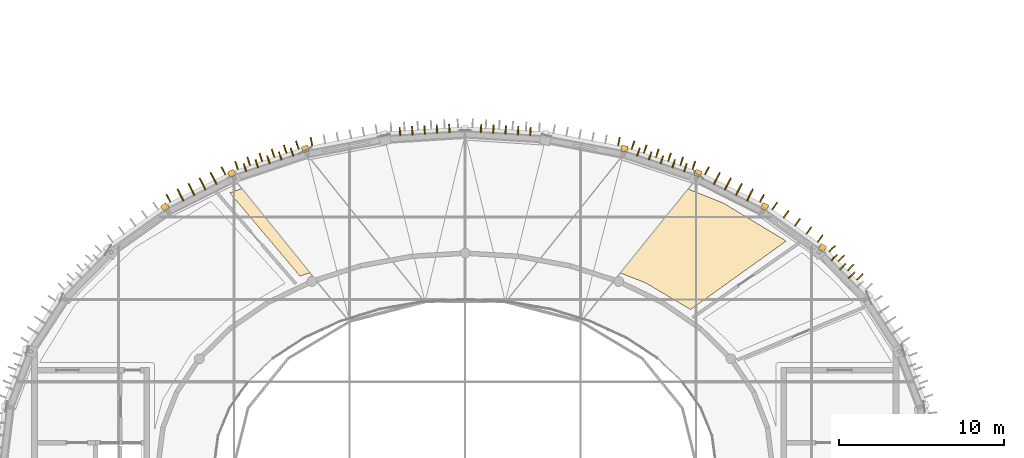
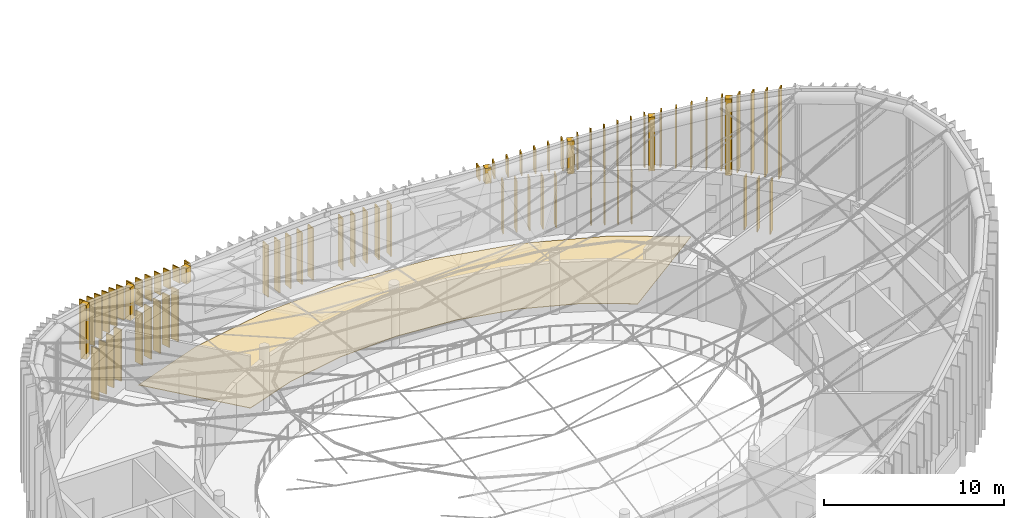
# One storey, part 34 of 36: 66 shading devices, 8 coverings.
"""IFC4 building model written with IfcOpenShell, lengths in metres."""

from ifc_helpers import new_model, si_unit, direction, frame, origin, origin_2d, place, context, subcontext, project, spatial, polyline, rectangle, outline, extrude, material, layer, layer_set, type_object, element, save


model = new_model("IFC4")

# Units and contexts
model_context = context("Model", 3, precision=1e-05, world=origin(), true_north=direction((0.0, 1.0)))
body_context = subcontext(model_context, "Body", "Model", "MODEL_VIEW")
ifc_project = project(units=[si_unit("LENGTHUNIT", "METRE"), si_unit("AREAUNIT", "SQUARE_METRE"), si_unit("VOLUMEUNIT", "CUBIC_METRE"), si_unit("PLANEANGLEUNIT", "RADIAN"), si_unit("MASSUNIT", "GRAM", prefix="KILO")], contexts=[model_context])

# Site, building, storey
site_placement = place(None, origin())
site = spatial("IfcSite", under=ifc_project, at=site_placement, CompositionType="ELEMENT")
building_placement = place(site_placement, origin())
building = spatial("IfcBuilding", under=site, at=building_placement, Name="Tarnveldt Headland Concert Hall", CompositionType="ELEMENT")
storey_placement = place(building_placement, frame((0.0, 0.0, 22.800048828125)))
storey = spatial("IfcBuildingStorey", under=building, at=storey_placement, Name="L05", CompositionType="ELEMENT", Elevation=22.800048828125)

# Coverings
ifc_material_1 = material(Name="Polished coral-aggregate cementitious terrazzo flooring", Category="concrete")
ifc_layer_1 = layer(ifc_material_1, 0.034912109375, Name="Polished coral-aggregate cementitious terrazzo flooring", Category="concrete")
ifc_layer_set_1 = layer_set([ifc_layer_1], Name="Polished coral-aggregate cementitious terrazzo flooring")
covering_type_1 = type_object("IfcCoveringType", Name="CV-FLOR35", PredefinedType="FLOORING", material=ifc_layer_set_1)
covering_1_placement = place(storey_placement, origin())
element("IfcCovering", 1, at=covering_1_placement, inside=storey, type_object=covering_type_1, Name="Architectural flooring L05-08-133", PredefinedType="FLOORING", context=body_context, shape_type="SweptSolid", body=[
    extrude(outline(polyline([(94.45068359375, 65.486572265625), (94.43798828125, 65.493408203125), (94.42431640625, 65.49951171875), (93.199951171875, 65.9765625), (93.199951171875, 65.985107421875), (93.177978515625, 65.985107421875), (91.20654296875, 66.753173828125), (91.194091796875, 66.757568359375), (91.181396484375, 66.760986328125), (87.675537109375, 67.55908203125), (87.65087890625, 67.562744140625), (83.989013671875, 67.875244140625), (83.964599609375, 67.875732421875), (80.284912109375, 67.6904296875), (80.260498046875, 67.6875), (76.70166015625, 67.01171875), (76.676513671875, 67.005126953125), (73.489501953125, 65.90478515625), (69.232666015625, 70.95361328125), (73.756103515625, 72.548095703125), (78.881591796875, 73.541259765625), (84.182373046875, 73.8134765625), (89.457275390625, 73.354248046875), (94.505859375, 72.18115234375), (99.13671875, 70.339599609375), (102.954833984375, 68.033203125), (97.158203125, 63.88427734375), (94.45068359375, 65.486572265625)])), origin(), (0.0, 0.0, 1.0), 0.034912109375),
])
ifc_material_2 = material(Name="Coral-toned precast concrete C40/50", Category="concrete")
ifc_layer_2 = layer(ifc_material_2, 0.360107421875, Name="Coral-toned precast concrete C40/50", Category="concrete")
ifc_layer_set_2 = layer_set([ifc_layer_2], Name="Coral-toned precast concrete C40/50")
covering_type_2 = type_object("IfcCoveringType", Name="CV-JNT360", PredefinedType="CLADDING", material=ifc_layer_set_2)
covering_2_placement = place(storey_placement, frame((65.30419921875, 70.09765625, 3.7998046875), z_axis=(0.0, 0.0, 1.0), x_axis=(-0.581271174002, 0.813709912852, 0.0)))
element("IfcCovering", 2, at=covering_2_placement, inside=storey, type_object=covering_type_2, Name="Precast facade joint closure pilaster L05-356", PredefinedType="CLADDING", context=body_context, shape_type="SweptSolid", body=[
    extrude(rectangle(XDim=0.3798828125, YDim=0.3798828125, at=origin_2d()), origin(), (0.0, 0.0, 1.0), 3.656005859375),
])
covering_3_placement = place(storey_placement, frame((69.347900390625, 72.12451171875, 3.7998046875), z_axis=(0.0, 0.0, 1.0), x_axis=(-0.447290848419, 0.89438856037, 0.0)))
element("IfcCovering", 3, at=covering_3_placement, inside=storey, type_object=covering_type_2, Name="Precast facade joint closure pilaster L05-358", PredefinedType="CLADDING", context=body_context, shape_type="SweptSolid", body=[
    extrude(rectangle(XDim=0.3798828125, YDim=0.3798828125, at=origin_2d()), origin(), (0.0, 0.0, 1.0), 2.219970703125),
])
for number, where, z_axis, x_axis, name in (
    (4, (73.81591796875, 73.616455078125, 3.800048828125), (0.0, 0.0, 1.0), (-0.315980237922, 0.948765771538, 0.0), "Precast facade joint closure pilaster L05-360"),
    (5, (93.140380859375, 73.627685546875, 3.800048828125), (0.0, 0.0, 1.0), (0.187895613278, 0.982189003456, 0.0), "Precast facade joint closure pilaster L05-368"),
):
    element("IfcCovering", number, at=place(storey_placement, frame(where, z_axis=z_axis, x_axis=x_axis)), inside=storey, type_object=covering_type_2, Name=name, PredefinedType="CLADDING", context=body_context, shape_type="SweptSolid", body=[
        extrude(rectangle(XDim=0.3798828125, YDim=0.3798828125, at=origin_2d()), origin(), (0.0, 0.0, 1.0), 1.04931640625),
    ])
covering_4_placement = place(storey_placement, frame((97.607421875, 72.14306640625, 3.7998046875), z_axis=(0.0, 0.0, 1.0), x_axis=(0.315980237922, 0.948765771538, 0.0)))
element("IfcCovering", 6, at=covering_4_placement, inside=storey, type_object=covering_type_2, Name="Precast facade joint closure pilaster L05-370", PredefinedType="CLADDING", context=body_context, shape_type="SweptSolid", body=[
    extrude(rectangle(XDim=0.3798828125, YDim=0.3798828125, at=origin_2d()), origin(), (0.0, 0.0, 1.0), 2.219970703125),
])
covering_5_placement = place(storey_placement, frame((101.650146484375, 70.125, 3.7998046875), z_axis=(0.0, 0.0, 1.0), x_axis=(0.447290848419, 0.89438856037, 0.0)))
element("IfcCovering", 7, at=covering_5_placement, inside=storey, type_object=covering_type_2, Name="Precast facade joint closure pilaster L05-372", PredefinedType="CLADDING", context=body_context, shape_type="SweptSolid", body=[
    extrude(rectangle(XDim=0.3798828125, YDim=0.3798828125, at=origin_2d()), origin(), (0.0, 0.0, 1.0), 3.656005859375),
])
covering_6_placement = place(storey_placement, frame((105.146728515625, 67.632568359375, 3.7998046875), z_axis=(0.0, 0.0, 1.0), x_axis=(0.581271174002, 0.813709912852, 0.0)))
element("IfcCovering", 8, at=covering_6_placement, inside=storey, type_object=covering_type_2, Name="Precast facade joint closure pilaster L05-374", PredefinedType="CLADDING", context=body_context, shape_type="SweptSolid", body=[
    extrude(rectangle(XDim=0.3798828125, YDim=0.3798828125, at=origin_2d()), origin(), (0.0, 0.0, 1.0), 5.18408203125),
])

# Shading devices
ifc_material_3 = material(Name="Terracotta-anodised aluminium EN AW-6063-T6", Category="masonry")
shading_device_type = type_object("IfcShadingDeviceType", Name="SD-FIN520", PredefinedType="USERDEFINED", material=ifc_material_3)
for number, where, z_axis, x_axis, name in (
    (9, (106.90966796875, 65.952392578125, 0.25), (0.0, 0.0, 1.0), (0.714106238843, 0.700037341608, 0.0), "Drum terracotta acoustic solar fin L05-214"),
    (10, (106.384521484375, 66.488037109375, 0.25), (0.0, 0.0, 1.0), (0.714106238843, 0.700037341608, 0.0), "Drum terracotta acoustic solar fin L05-215"),
    (11, (105.859619140625, 67.0234375, 0.25), (0.0, 0.0, 1.0), (0.714106238843, 0.700037341608, 0.0), "Drum terracotta acoustic solar fin L05-216"),
    (12, (100.69189453125, 70.69091796875, 0.25), (0.0, 0.0, 1.0), (0.447290848419, 0.89438856037, 0.0), "Drum terracotta acoustic solar fin L05-217"),
    (13, (100.021240234375, 71.0263671875, 0.25), (0.0, 0.0, 1.0), (0.447290848419, 0.89438856037, 0.0), "Drum terracotta acoustic solar fin L05-218"),
    (14, (99.350341796875, 71.36181640625, 0.25), (0.0, 0.0, 1.0), (0.447290848419, 0.89438856037, 0.0), "Drum terracotta acoustic solar fin L05-219"),
    (15, (98.6796875, 71.697265625, 0.25), (0.0, 0.0, 1.0), (0.447290848419, 0.89438856037, 0.0), "Drum terracotta acoustic solar fin L05-220"),
    (16, (96.843505859375, 72.479248046875, 0.25), (0.0, 0.0, 1.0), (0.315980237922, 0.948765771538, 0.0), "Drum terracotta acoustic solar fin L05-221"),
    (17, (96.1318359375, 72.71630859375, 0.25), (0.0, 0.0, 1.0), (0.315980237922, 0.948765771538, 0.0), "Drum terracotta acoustic solar fin L05-222"),
    (18, (95.420166015625, 72.953369140625, 0.25), (0.0, 0.0, 1.0), (0.315980237922, 0.948765771538, 0.0), "Drum terracotta acoustic solar fin L05-223"),
    (19, (94.708740234375, 73.190185546875, 0.25), (0.0, 0.0, 1.0), (0.315980237922, 0.948765771538, 0.0), "Drum terracotta acoustic solar fin L05-224"),
    (20, (93.9970703125, 73.42724609375, 0.25), (0.0, 0.0, 1.0), (0.315980237922, 0.948765771538, 0.0), "Drum terracotta acoustic solar fin L05-225"),
    (21, (87.4541015625, 74.671142578125, 0.25), (0.0, 0.0, 1.0), (0.062442138662, 0.998048585651, 0.0), "Drum terracotta acoustic solar fin L05-226"),
    (22, (86.70556640625, 74.718017578125, 0.25), (0.0, 0.0, 1.0), (0.062442138662, 0.998048585651, 0.0), "Drum terracotta acoustic solar fin L05-227"),
    (23, (85.95703125, 74.764892578125, 0.25), (0.0, 0.0, 1.0), (0.062442138662, 0.998048585651, 0.0), "Drum terracotta acoustic solar fin L05-228"),
    (24, (85.20849609375, 74.8115234375, 0.25), (0.0, 0.0, 1.0), (0.062442138662, 0.998048585651, 0.0), "Drum terracotta acoustic solar fin L05-229"),
    (25, (84.4599609375, 74.8583984375, 0.25), (0.0, 0.0, 1.0), (0.062442138662, 0.998048585651, 0.0), "Drum terracotta acoustic solar fin L05-230"),
    (26, (82.5400390625, 74.8583984375, 0.25), (0.0, 0.0, 1.0), (-0.062442138662, 0.998048585651, 0.0), "Drum terracotta acoustic solar fin L05-231"),
    (27, (81.79150390625, 74.8115234375, 0.25), (0.0, 0.0, 1.0), (-0.062442138662, 0.998048585651, 0.0), "Drum terracotta acoustic solar fin L05-232"),
    (28, (81.04296875, 74.764892578125, 0.25), (0.0, 0.0, 1.0), (-0.062442138662, 0.998048585651, 0.0), "Drum terracotta acoustic solar fin L05-233"),
    (29, (80.29443359375, 74.718017578125, 0.25), (0.0, 0.0, 1.0), (-0.062442138662, 0.998048585651, 0.0), "Drum terracotta acoustic solar fin L05-234"),
    (30, (79.5458984375, 74.671142578125, 0.25), (0.0, 0.0, 1.0), (-0.062442138662, 0.998048585651, 0.0), "Drum terracotta acoustic solar fin L05-235"),
    (31, (73.0029296875, 73.42724609375, 0.25), (0.0, 0.0, 1.0), (-0.315980237922, 0.948765771538, 0.0), "Drum terracotta acoustic solar fin L05-236"),
    (32, (72.291259765625, 73.190185546875, 0.25), (0.0, 0.0, 1.0), (-0.315980237922, 0.948765771538, 0.0), "Drum terracotta acoustic solar fin L05-237"),
    (33, (71.579833984375, 72.953369140625, 0.25), (0.0, 0.0, 1.0), (-0.315980237922, 0.948765771538, 0.0), "Drum terracotta acoustic solar fin L05-238"),
    (34, (70.8681640625, 72.71630859375, 0.25), (0.0, 0.0, 1.0), (-0.315980237922, 0.948765771538, 0.0), "Drum terracotta acoustic solar fin L05-239"),
    (35, (70.156494140625, 72.479248046875, 0.25), (0.0, 0.0, 1.0), (-0.315980237922, 0.948765771538, 0.0), "Drum terracotta acoustic solar fin L05-240"),
    (36, (68.3203125, 71.697265625, 0.25), (0.0, 0.0, 1.0), (-0.447290848419, 0.89438856037, 0.0), "Drum terracotta acoustic solar fin L05-241"),
    (37, (67.649658203125, 71.36181640625, 0.25), (0.0, 0.0, 1.0), (-0.447290848419, 0.89438856037, 0.0), "Drum terracotta acoustic solar fin L05-242"),
    (38, (66.978759765625, 71.0263671875, 0.25), (0.0, 0.0, 1.0), (-0.447290848419, 0.89438856037, 0.0), "Drum terracotta acoustic solar fin L05-243"),
    (39, (66.30810546875, 70.69091796875, 0.25), (0.0, 0.0, 1.0), (-0.447290848419, 0.89438856037, 0.0), "Drum terracotta acoustic solar fin L05-244"),
):
    element("IfcShadingDevice", number, at=place(storey_placement, frame(where, z_axis=z_axis, x_axis=x_axis)), inside=storey, type_object=shading_device_type, Name=name, ObjectType="FIN", PredefinedType="USERDEFINED", context=body_context, shape_type="SweptSolid", body=[
        extrude(rectangle(XDim=0.52001953125, YDim=0.080078125, at=origin_2d()), origin(), (0.0, 0.0, 1.0), 3.5),
    ])
shading_device_1_placement = place(storey_placement, frame((107.41943359375, 65.857421875, 3.85009765625), z_axis=(0.0, 0.0, 1.0), x_axis=(0.714106238843, 0.700037341608, 0.0)))
element("IfcShadingDevice", 40, at=shading_device_1_placement, inside=storey, type_object=shading_device_type, Name="Crown terracotta louvre fin 4-2", ObjectType="FIN", PredefinedType="USERDEFINED", context=body_context, shape_type="SweptSolid", body=[
    extrude(rectangle(XDim=0.52001953125, YDim=0.080078125, at=origin_2d()), origin(), (0.0, 0.0, 1.0), 6.05908203125),
])
shading_device_2_placement = place(storey_placement, frame((106.859619140625, 66.428466796875, 3.849853515625), z_axis=(0.0, 0.0, 1.0), x_axis=(0.714106238843, 0.700037341608, 0.0)))
element("IfcShadingDevice", 41, at=shading_device_2_placement, inside=storey, type_object=shading_device_type, Name="Crown terracotta louvre fin 4-3", ObjectType="FIN", PredefinedType="USERDEFINED", context=body_context, shape_type="SweptSolid", body=[
    extrude(rectangle(XDim=0.52001953125, YDim=0.080078125, at=origin_2d()), origin(), (0.0, 0.0, 1.0), 5.77197265625),
])
shading_device_3_placement = place(storey_placement, frame((106.299560546875, 66.99951171875, 3.849853515625), z_axis=(0.0, 0.0, 1.0), x_axis=(0.714106238843, 0.700037341608, 0.0)))
element("IfcShadingDevice", 42, at=shading_device_3_placement, inside=storey, type_object=shading_device_type, Name="Crown terracotta louvre fin 4-4", ObjectType="FIN", PredefinedType="USERDEFINED", context=body_context, shape_type="SweptSolid", body=[
    extrude(rectangle(XDim=0.52001953125, YDim=0.080078125, at=origin_2d()), origin(), (0.0, 0.0, 1.0), 5.48486328125),
])
shading_device_4_placement = place(storey_placement, frame((105.73974609375, 67.57080078125, 3.85009765625), z_axis=(0.0, 0.0, 1.0), x_axis=(0.714106238843, 0.700037341608, 0.0)))
element("IfcShadingDevice", 43, at=shading_device_4_placement, inside=storey, type_object=shading_device_type, Name="Crown terracotta louvre fin 4-5", ObjectType="FIN", PredefinedType="USERDEFINED", context=body_context, shape_type="SweptSolid", body=[
    extrude(rectangle(XDim=0.52001953125, YDim=0.080078125, at=origin_2d()), origin(), (0.0, 0.0, 1.0), 5.197509765625),
])
shading_device_5_placement = place(storey_placement, frame((105.019775390625, 68.18408203125, 3.85009765625), z_axis=(0.0, 0.0, 1.0), x_axis=(0.581271174002, 0.813709912852, 0.0)))
element("IfcShadingDevice", 44, at=shading_device_5_placement, inside=storey, type_object=shading_device_type, Name="Crown terracotta louvre fin 5-1", ObjectType="FIN", PredefinedType="USERDEFINED", context=body_context, shape_type="SweptSolid", body=[
    extrude(rectangle(XDim=0.52001953125, YDim=0.080078125, at=origin_2d()), origin(), (0.0, 0.0, 1.0), 4.901123046875),
])
shading_device_6_placement = place(storey_placement, frame((104.329345703125, 68.67724609375, 3.849853515625), z_axis=(0.0, 0.0, 1.0), x_axis=(0.581271174002, 0.813709912852, 0.0)))
element("IfcShadingDevice", 45, at=shading_device_6_placement, inside=storey, type_object=shading_device_type, Name="Crown terracotta louvre fin 5-2", ObjectType="FIN", PredefinedType="USERDEFINED", context=body_context, shape_type="SweptSolid", body=[
    extrude(rectangle(XDim=0.52001953125, YDim=0.080078125, at=origin_2d()), origin(), (0.0, 0.0, 1.0), 4.595703125),
])
shading_device_7_placement = place(storey_placement, frame((103.63916015625, 69.170166015625, 3.849853515625), z_axis=(0.0, 0.0, 1.0), x_axis=(0.581271174002, 0.813709912852, 0.0)))
element("IfcShadingDevice", 46, at=shading_device_7_placement, inside=storey, type_object=shading_device_type, Name="Crown terracotta louvre fin 5-3", ObjectType="FIN", PredefinedType="USERDEFINED", context=body_context, shape_type="SweptSolid", body=[
    extrude(rectangle(XDim=0.52001953125, YDim=0.080078125, at=origin_2d()), origin(), (0.0, 0.0, 1.0), 4.2900390625),
])
shading_device_8_placement = place(storey_placement, frame((102.948974609375, 69.6630859375, 3.849853515625), z_axis=(0.0, 0.0, 1.0), x_axis=(0.581271174002, 0.813709912852, 0.0)))
element("IfcShadingDevice", 47, at=shading_device_8_placement, inside=storey, type_object=shading_device_type, Name="Crown terracotta louvre fin 5-4", ObjectType="FIN", PredefinedType="USERDEFINED", context=body_context, shape_type="SweptSolid", body=[
    extrude(rectangle(XDim=0.52001953125, YDim=0.080078125, at=origin_2d()), origin(), (0.0, 0.0, 1.0), 3.984375),
])
shading_device_9_placement = place(storey_placement, frame((102.2587890625, 70.15625, 3.85009765625), z_axis=(0.0, 0.0, 1.0), x_axis=(0.581271174002, 0.813709912852, 0.0)))
element("IfcShadingDevice", 48, at=shading_device_9_placement, inside=storey, type_object=shading_device_type, Name="Crown terracotta louvre fin 5-5", ObjectType="FIN", PredefinedType="USERDEFINED", context=body_context, shape_type="SweptSolid", body=[
    extrude(rectangle(XDim=0.52001953125, YDim=0.080078125, at=origin_2d()), origin(), (0.0, 0.0, 1.0), 3.6787109375),
])
shading_device_10_placement = place(storey_placement, frame((101.48486328125, 70.626953125, 3.849853515625), z_axis=(0.0, 0.0, 1.0), x_axis=(0.447290848419, 0.89438856037, 0.0)))
element("IfcShadingDevice", 49, at=shading_device_10_placement, inside=storey, type_object=shading_device_type, Name="Crown terracotta louvre fin 6-1", ObjectType="FIN", PredefinedType="USERDEFINED", context=body_context, shape_type="SweptSolid", body=[
    extrude(rectangle(XDim=0.52001953125, YDim=0.080078125, at=origin_2d()), origin(), (0.0, 0.0, 1.0), 3.40625),
])
shading_device_11_placement = place(storey_placement, frame((100.818359375, 70.960205078125, 3.849853515625), z_axis=(0.0, 0.0, 1.0), x_axis=(0.447290848419, 0.89438856037, 0.0)))
element("IfcShadingDevice", 50, at=shading_device_11_placement, inside=storey, type_object=shading_device_type, Name="Crown terracotta louvre fin 6-2", ObjectType="FIN", PredefinedType="USERDEFINED", context=body_context, shape_type="SweptSolid", body=[
    extrude(rectangle(XDim=0.52001953125, YDim=0.080078125, at=origin_2d()), origin(), (0.0, 0.0, 1.0), 3.1669921875),
])
shading_device_12_placement = place(storey_placement, frame((100.152099609375, 71.293701171875, 3.849853515625), z_axis=(0.0, 0.0, 1.0), x_axis=(0.447290848419, 0.89438856037, 0.0)))
element("IfcShadingDevice", 51, at=shading_device_12_placement, inside=storey, type_object=shading_device_type, Name="Crown terracotta louvre fin 6-3", ObjectType="FIN", PredefinedType="USERDEFINED", context=body_context, shape_type="SweptSolid", body=[
    extrude(rectangle(XDim=0.52001953125, YDim=0.080078125, at=origin_2d()), origin(), (0.0, 0.0, 1.0), 2.927734375),
])
shading_device_13_placement = place(storey_placement, frame((99.485595703125, 71.626708984375, 3.85009765625), z_axis=(0.0, 0.0, 1.0), x_axis=(0.447290848419, 0.89438856037, 0.0)))
element("IfcShadingDevice", 52, at=shading_device_13_placement, inside=storey, type_object=shading_device_type, Name="Crown terracotta louvre fin 6-4", ObjectType="FIN", PredefinedType="USERDEFINED", context=body_context, shape_type="SweptSolid", body=[
    extrude(rectangle(XDim=0.52001953125, YDim=0.080078125, at=origin_2d()), origin(), (0.0, 0.0, 1.0), 2.688232421875),
])
shading_device_14_placement = place(storey_placement, frame((98.8193359375, 71.960205078125, 3.85009765625), z_axis=(0.0, 0.0, 1.0), x_axis=(0.447290848419, 0.89438856037, 0.0)))
element("IfcShadingDevice", 53, at=shading_device_14_placement, inside=storey, type_object=shading_device_type, Name="Crown terracotta louvre fin 6-5", ObjectType="FIN", PredefinedType="USERDEFINED", context=body_context, shape_type="SweptSolid", body=[
    extrude(rectangle(XDim=0.52001953125, YDim=0.080078125, at=origin_2d()), origin(), (0.0, 0.0, 1.0), 2.448974609375),
])
shading_device_15_placement = place(storey_placement, frame((98.153076171875, 72.29345703125, 3.85009765625), z_axis=(0.0, 0.0, 1.0), x_axis=(0.447290848419, 0.89438856037, 0.0)))
element("IfcShadingDevice", 54, at=shading_device_15_placement, inside=storey, type_object=shading_device_type, Name="Crown terracotta louvre fin 6-6", ObjectType="FIN", PredefinedType="USERDEFINED", context=body_context, shape_type="SweptSolid", body=[
    extrude(rectangle(XDim=0.52001953125, YDim=0.080078125, at=origin_2d()), origin(), (0.0, 0.0, 1.0), 2.209716796875),
])
shading_device_16_placement = place(storey_placement, frame((97.357421875, 72.62158203125, 3.85009765625), z_axis=(0.0, 0.0, 1.0), x_axis=(0.315980237922, 0.948765771538, 0.0)))
element("IfcShadingDevice", 55, at=shading_device_16_placement, inside=storey, type_object=shading_device_type, Name="Crown terracotta louvre fin 7-1", ObjectType="FIN", PredefinedType="USERDEFINED", context=body_context, shape_type="SweptSolid", body=[
    extrude(rectangle(XDim=0.52001953125, YDim=0.080078125, at=origin_2d()), origin(), (0.0, 0.0, 1.0), 1.992431640625),
])
shading_device_17_placement = place(storey_placement, frame((96.6201171875, 72.8671875, 3.849853515625), z_axis=(0.0, 0.0, 1.0), x_axis=(0.315980237922, 0.948765771538, 0.0)))
element("IfcShadingDevice", 56, at=shading_device_17_placement, inside=storey, type_object=shading_device_type, Name="Crown terracotta louvre fin 7-2", ObjectType="FIN", PredefinedType="USERDEFINED", context=body_context, shape_type="SweptSolid", body=[
    extrude(rectangle(XDim=0.52001953125, YDim=0.080078125, at=origin_2d()), origin(), (0.0, 0.0, 1.0), 1.79736328125),
])
shading_device_18_placement = place(storey_placement, frame((95.8828125, 73.11279296875, 3.85009765625), z_axis=(0.0, 0.0, 1.0), x_axis=(0.315980237922, 0.948765771538, 0.0)))
element("IfcShadingDevice", 57, at=shading_device_18_placement, inside=storey, type_object=shading_device_type, Name="Crown terracotta louvre fin 7-3", ObjectType="FIN", PredefinedType="USERDEFINED", context=body_context, shape_type="SweptSolid", body=[
    extrude(rectangle(XDim=0.52001953125, YDim=0.080078125, at=origin_2d()), origin(), (0.0, 0.0, 1.0), 1.602294921875),
])
shading_device_19_placement = place(storey_placement, frame((95.1455078125, 73.3583984375, 3.849853515625), z_axis=(0.0, 0.0, 1.0), x_axis=(0.315980237922, 0.948765771538, 0.0)))
element("IfcShadingDevice", 58, at=shading_device_19_placement, inside=storey, type_object=shading_device_type, Name="Crown terracotta louvre fin 7-4", ObjectType="FIN", PredefinedType="USERDEFINED", context=body_context, shape_type="SweptSolid", body=[
    extrude(rectangle(XDim=0.52001953125, YDim=0.080078125, at=origin_2d()), origin(), (0.0, 0.0, 1.0), 1.4072265625),
])
shading_device_20_placement = place(storey_placement, frame((94.408447265625, 73.60400390625, 3.85009765625), z_axis=(0.0, 0.0, 1.0), x_axis=(0.315980237922, 0.948765771538, 0.0)))
element("IfcShadingDevice", 59, at=shading_device_20_placement, inside=storey, type_object=shading_device_type, Name="Crown terracotta louvre fin 7-5", ObjectType="FIN", PredefinedType="USERDEFINED", context=body_context, shape_type="SweptSolid", body=[
    extrude(rectangle(XDim=0.52001953125, YDim=0.080078125, at=origin_2d()), origin(), (0.0, 0.0, 1.0), 1.212158203125),
])
shading_device_21_placement = place(storey_placement, frame((93.671142578125, 73.849609375, 3.849853515625), z_axis=(0.0, 0.0, 1.0), x_axis=(0.315980237922, 0.948765771538, 0.0)))
element("IfcShadingDevice", 60, at=shading_device_21_placement, inside=storey, type_object=shading_device_type, Name="Crown terracotta louvre fin 7-6", ObjectType="FIN", PredefinedType="USERDEFINED", context=body_context, shape_type="SweptSolid", body=[
    extrude(rectangle(XDim=0.52001953125, YDim=0.080078125, at=origin_2d()), origin(), (0.0, 0.0, 1.0), 1.01708984375),
])
for number, where, z_axis, x_axis, name in (
    (61, (92.818115234375, 74.0712890625, 3.85009765625), (0.0, 0.0, 1.0), (0.187895613278, 0.982189003456, 0.0), "Crown terracotta louvre fin 8-1"),
    (62, (74.181884765625, 74.0712890625, 3.85009765625), (0.0, 0.0, 1.0), (-0.187895613278, 0.982189003456, 0.0), "Crown terracotta louvre fin 11-6"),
):
    element("IfcShadingDevice", number, at=place(storey_placement, frame(where, z_axis=z_axis, x_axis=x_axis)), inside=storey, type_object=shading_device_type, Name=name, ObjectType="FIN", PredefinedType="USERDEFINED", context=body_context, shape_type="SweptSolid", body=[
        extrude(rectangle(XDim=0.52001953125, YDim=0.080078125, at=origin_2d()), origin(), (0.0, 0.0, 1.0), 0.890380859375),
    ])
shading_device_22_placement = place(storey_placement, frame((73.328857421875, 73.849609375, 3.849853515625), z_axis=(0.0, 0.0, 1.0), x_axis=(-0.315980237922, 0.948765771538, 0.0)))
element("IfcShadingDevice", 63, at=shading_device_22_placement, inside=storey, type_object=shading_device_type, Name="Crown terracotta louvre fin 12-1", ObjectType="FIN", PredefinedType="USERDEFINED", context=body_context, shape_type="SweptSolid", body=[
    extrude(rectangle(XDim=0.52001953125, YDim=0.080078125, at=origin_2d()), origin(), (0.0, 0.0, 1.0), 1.01708984375),
])
shading_device_23_placement = place(storey_placement, frame((72.591552734375, 73.60400390625, 3.85009765625), z_axis=(0.0, 0.0, 1.0), x_axis=(-0.315980237922, 0.948765771538, 0.0)))
element("IfcShadingDevice", 64, at=shading_device_23_placement, inside=storey, type_object=shading_device_type, Name="Crown terracotta louvre fin 12-2", ObjectType="FIN", PredefinedType="USERDEFINED", context=body_context, shape_type="SweptSolid", body=[
    extrude(rectangle(XDim=0.52001953125, YDim=0.080078125, at=origin_2d()), origin(), (0.0, 0.0, 1.0), 1.212158203125),
])
shading_device_24_placement = place(storey_placement, frame((71.8544921875, 73.3583984375, 3.849853515625), z_axis=(0.0, 0.0, 1.0), x_axis=(-0.315980237922, 0.948765771538, 0.0)))
element("IfcShadingDevice", 65, at=shading_device_24_placement, inside=storey, type_object=shading_device_type, Name="Crown terracotta louvre fin 12-3", ObjectType="FIN", PredefinedType="USERDEFINED", context=body_context, shape_type="SweptSolid", body=[
    extrude(rectangle(XDim=0.52001953125, YDim=0.080078125, at=origin_2d()), origin(), (0.0, 0.0, 1.0), 1.4072265625),
])
shading_device_25_placement = place(storey_placement, frame((71.1171875, 73.11279296875, 3.85009765625), z_axis=(0.0, 0.0, 1.0), x_axis=(-0.315980237922, 0.948765771538, 0.0)))
element("IfcShadingDevice", 66, at=shading_device_25_placement, inside=storey, type_object=shading_device_type, Name="Crown terracotta louvre fin 12-4", ObjectType="FIN", PredefinedType="USERDEFINED", context=body_context, shape_type="SweptSolid", body=[
    extrude(rectangle(XDim=0.52001953125, YDim=0.080078125, at=origin_2d()), origin(), (0.0, 0.0, 1.0), 1.602294921875),
])
shading_device_26_placement = place(storey_placement, frame((70.3798828125, 72.8671875, 3.849853515625), z_axis=(0.0, 0.0, 1.0), x_axis=(-0.315980237922, 0.948765771538, 0.0)))
element("IfcShadingDevice", 67, at=shading_device_26_placement, inside=storey, type_object=shading_device_type, Name="Crown terracotta louvre fin 12-5", ObjectType="FIN", PredefinedType="USERDEFINED", context=body_context, shape_type="SweptSolid", body=[
    extrude(rectangle(XDim=0.52001953125, YDim=0.080078125, at=origin_2d()), origin(), (0.0, 0.0, 1.0), 1.79736328125),
])
shading_device_27_placement = place(storey_placement, frame((69.642578125, 72.62158203125, 3.85009765625), z_axis=(0.0, 0.0, 1.0), x_axis=(-0.315980237922, 0.948765771538, 0.0)))
element("IfcShadingDevice", 68, at=shading_device_27_placement, inside=storey, type_object=shading_device_type, Name="Crown terracotta louvre fin 12-6", ObjectType="FIN", PredefinedType="USERDEFINED", context=body_context, shape_type="SweptSolid", body=[
    extrude(rectangle(XDim=0.52001953125, YDim=0.080078125, at=origin_2d()), origin(), (0.0, 0.0, 1.0), 1.992431640625),
])
shading_device_28_placement = place(storey_placement, frame((68.846923828125, 72.29345703125, 3.85009765625), z_axis=(0.0, 0.0, 1.0), x_axis=(-0.447290848419, 0.89438856037, 0.0)))
element("IfcShadingDevice", 69, at=shading_device_28_placement, inside=storey, type_object=shading_device_type, Name="Crown terracotta louvre fin 13-1", ObjectType="FIN", PredefinedType="USERDEFINED", context=body_context, shape_type="SweptSolid", body=[
    extrude(rectangle(XDim=0.52001953125, YDim=0.080078125, at=origin_2d()), origin(), (0.0, 0.0, 1.0), 2.209716796875),
])
shading_device_29_placement = place(storey_placement, frame((68.1806640625, 71.960205078125, 3.85009765625), z_axis=(0.0, 0.0, 1.0), x_axis=(-0.447290848419, 0.89438856037, 0.0)))
element("IfcShadingDevice", 70, at=shading_device_29_placement, inside=storey, type_object=shading_device_type, Name="Crown terracotta louvre fin 13-2", ObjectType="FIN", PredefinedType="USERDEFINED", context=body_context, shape_type="SweptSolid", body=[
    extrude(rectangle(XDim=0.52001953125, YDim=0.080078125, at=origin_2d()), origin(), (0.0, 0.0, 1.0), 2.448974609375),
])
shading_device_30_placement = place(storey_placement, frame((67.514404296875, 71.626708984375, 3.85009765625), z_axis=(0.0, 0.0, 1.0), x_axis=(-0.447290848419, 0.89438856037, 0.0)))
element("IfcShadingDevice", 71, at=shading_device_30_placement, inside=storey, type_object=shading_device_type, Name="Crown terracotta louvre fin 13-3", ObjectType="FIN", PredefinedType="USERDEFINED", context=body_context, shape_type="SweptSolid", body=[
    extrude(rectangle(XDim=0.52001953125, YDim=0.080078125, at=origin_2d()), origin(), (0.0, 0.0, 1.0), 2.688232421875),
])
shading_device_31_placement = place(storey_placement, frame((66.847900390625, 71.293701171875, 3.849853515625), z_axis=(0.0, 0.0, 1.0), x_axis=(-0.447290848419, 0.89438856037, 0.0)))
element("IfcShadingDevice", 72, at=shading_device_31_placement, inside=storey, type_object=shading_device_type, Name="Crown terracotta louvre fin 13-4", ObjectType="FIN", PredefinedType="USERDEFINED", context=body_context, shape_type="SweptSolid", body=[
    extrude(rectangle(XDim=0.52001953125, YDim=0.080078125, at=origin_2d()), origin(), (0.0, 0.0, 1.0), 2.927734375),
])
shading_device_32_placement = place(storey_placement, frame((66.181640625, 70.960205078125, 3.849853515625), z_axis=(0.0, 0.0, 1.0), x_axis=(-0.447290848419, 0.89438856037, 0.0)))
element("IfcShadingDevice", 73, at=shading_device_32_placement, inside=storey, type_object=shading_device_type, Name="Crown terracotta louvre fin 13-5", ObjectType="FIN", PredefinedType="USERDEFINED", context=body_context, shape_type="SweptSolid", body=[
    extrude(rectangle(XDim=0.52001953125, YDim=0.080078125, at=origin_2d()), origin(), (0.0, 0.0, 1.0), 3.1669921875),
])
shading_device_33_placement = place(storey_placement, frame((65.51513671875, 70.626953125, 3.849853515625), z_axis=(0.0, 0.0, 1.0), x_axis=(-0.447290848419, 0.89438856037, 0.0)))
element("IfcShadingDevice", 74, at=shading_device_33_placement, inside=storey, type_object=shading_device_type, Name="Crown terracotta louvre fin 13-6", ObjectType="FIN", PredefinedType="USERDEFINED", context=body_context, shape_type="SweptSolid", body=[
    extrude(rectangle(XDim=0.52001953125, YDim=0.080078125, at=origin_2d()), origin(), (0.0, 0.0, 1.0), 3.40625),
])

save(model, "model.ifc")
